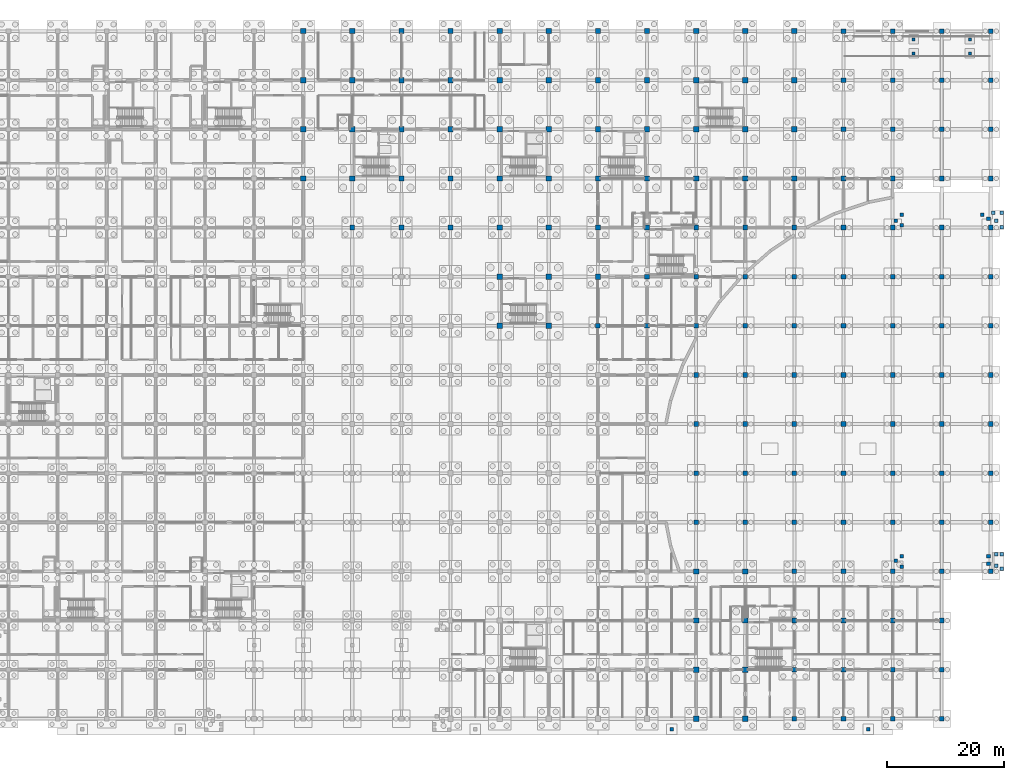
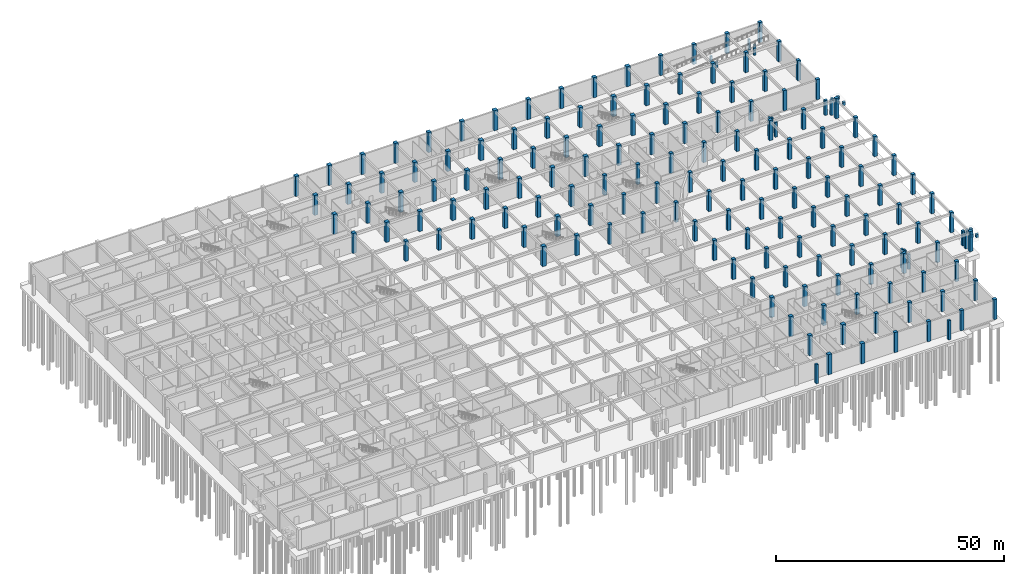
# One storey, part 19 of 65: 173 columns.
"""IFC4 building model written with IfcOpenShell, lengths in metres."""

from ifc_helpers import new_model, si_unit, direction, frame, origin, origin_2d, place, context, subcontext, project, spatial, rectangle, extrude, material, material_profile, profile_set, type_object, element, save


model = new_model("IFC4")

# Units and contexts
model_context = context("Model", 3, precision=1e-05, world=origin(), true_north=direction((0.0, 1.0)))
body_context = subcontext(model_context, "Body", "Model", "MODEL_VIEW")
ifc_project = project(units=[si_unit("LENGTHUNIT", "METRE"), si_unit("AREAUNIT", "SQUARE_METRE"), si_unit("VOLUMEUNIT", "CUBIC_METRE"), si_unit("PLANEANGLEUNIT", "RADIAN"), si_unit("MASSUNIT", "GRAM", prefix="KILO")], contexts=[model_context])

# Site, building, storey
site_placement = place(None, origin())
site = spatial("IfcSite", under=ifc_project, at=site_placement, CompositionType="ELEMENT")
building_placement = place(site_placement, origin())
building = spatial("IfcBuilding", under=site, at=building_placement, Name="Bramfleet General Hospital", CompositionType="ELEMENT")
storey_placement = place(building_placement, frame((0.0, 0.0, -5.39990234375)))
storey = spatial("IfcBuildingStorey", under=building, at=storey_placement, Name="B1", CompositionType="ELEMENT", Elevation=-5.39990234375)

# Columns
ifc_material = material(Name="Concrete C40/50", Category="concrete")
ifc_material_profile_1 = material_profile(ifc_material, rectangle(XDim=0.5, YDim=0.5, at=origin_2d()), Name="RC COL 500x500")
ifc_profile_set_1 = profile_set([ifc_material_profile_1], Name="Concrete C40/50")
column_type_1 = type_object("IfcColumnType", Name="COL-RC500", PredefinedType="COLUMN", material=ifc_profile_set_1)
for number, where, z_axis, x_axis, name in (
    (1, (171.60009765625, 113.800048828125, 0.0), (0.0, 0.0, 1.0), (1.0, 0.0, 0.0), "B1 Vehicle Ramp Support Column 1.1"),
    (2, (171.60009765625, 116.199951171875, 0.0), (0.0, 0.0, 1.0), (1.0, 0.0, 0.0), "B1 Vehicle Ramp Support Column 1.2"),
):
    element("IfcColumn", number, at=place(storey_placement, frame(where, z_axis=z_axis, x_axis=x_axis)), inside=storey, type_object=column_type_1, Name=name, PredefinedType="COLUMN", context=body_context, shape_type="SweptSolid", body=[
        extrude(rectangle(XDim=0.5, YDim=0.5, at=origin_2d()), origin(), (0.0, 0.0, 1.0), 1.679931640625),
    ])
for number, where, z_axis, x_axis, name in (
    (3, (181.199951171875, 113.800048828125, 0.0), (0.0, 0.0, 1.0), (1.0, 0.0, 0.0), "B1 Vehicle Ramp Support Column 2.1"),
    (4, (181.199951171875, 116.199951171875, 0.0), (0.0, 0.0, 1.0), (1.0, 0.0, 0.0), "B1 Vehicle Ramp Support Column 2.2"),
):
    element("IfcColumn", number, at=place(storey_placement, frame(where, z_axis=z_axis, x_axis=x_axis)), inside=storey, type_object=column_type_1, Name=name, PredefinedType="COLUMN", context=body_context, shape_type="SweptSolid", body=[
        extrude(rectangle(XDim=0.5, YDim=0.5, at=origin_2d()), origin(), (0.0, 0.0, 1.0), 2.83984375),
    ])
ifc_material_profile_2 = material_profile(ifc_material, rectangle(XDim=0.60009765625, YDim=0.60009765625, at=origin_2d()), Name="RC COL 600x600")
ifc_profile_set_2 = profile_set([ifc_material_profile_2], Name="Concrete C40/50")
column_type_2 = type_object("IfcColumnType", Name="COL-RC600", PredefinedType="COLUMN", material=ifc_profile_set_2)
for number, where, z_axis, x_axis, name in (
    (5, (130.199951171875, -1.800048828125, 0.0), (0.0, 0.0, 1.0), (1.0, 0.0, 0.0), "South Plinth Support Column 4"),
    (6, (163.800048828125, -1.800048828125, 0.0), (0.0, 0.0, 1.0), (1.0, 0.0, 0.0), "South Plinth Support Column 5"),
):
    element("IfcColumn", number, at=place(storey_placement, frame(where, z_axis=z_axis, x_axis=x_axis)), inside=storey, type_object=column_type_2, Name=name, PredefinedType="COLUMN", context=body_context, shape_type="SweptSolid", body=[
        extrude(rectangle(XDim=0.60009765625, YDim=0.60009765625, at=origin_2d()), origin(), (0.0, 0.0, 1.0), 5.14990234375),
    ])
for number, where, z_axis, x_axis, name in (
    (7, (169.60009765625, 26.0, 0.0), (0.0, 0.0, 1.0), (1.0, 0.0, 0.0), "Ramp Bearing Support Column 5.1"),
    (8, (184.39990234375, 26.550048828125, 0.0), (0.0, 0.0, 1.0), (1.0, 0.0, 0.0), "Ramp Bearing Support Column 5.2"),
    (9, (184.39990234375, 27.800048828125, 0.0), (0.0, 0.0, 1.0), (1.0, 0.0, 0.0), "Ramp Bearing Support Column 5.3"),
    (10, (169.60009765625, 27.800048828125, 0.0), (0.0, 0.0, 1.0), (1.0, 0.0, 0.0), "Ramp Bearing Support Column 5.4"),
):
    element("IfcColumn", number, at=place(storey_placement, frame(where, z_axis=z_axis, x_axis=x_axis)), inside=storey, type_object=column_type_2, Name=name, PredefinedType="COLUMN", context=body_context, shape_type="SweptSolid", body=[
        extrude(rectangle(XDim=0.60009765625, YDim=0.60009765625, at=origin_2d()), origin(), (0.0, 0.0, 1.0), 4.0),
    ])
column_1_placement = place(storey_placement, frame((168.5, 27.0, 0.0), z_axis=(0.0, 0.0, 1.0), x_axis=(1.0, 0.0, 0.0)))
element("IfcColumn", 11, at=column_1_placement, inside=storey, type_object=column_type_2, Name="Ramp Bearing Support Column 5.5", PredefinedType="COLUMN", context=body_context, shape_type="SweptSolid", body=[
    extrude(rectangle(XDim=0.60009765625, YDim=0.60009765625, at=origin_2d()), origin(), (0.0, 0.0, 1.0), 5.08984375),
])
for number, where, z_axis, x_axis, name in (
    (12, (185.719970703125, 26.199951171875, 2.75), (0.0, 0.0, 1.0), (1.0, 0.0, 0.0), "Threshold Support Column 5.1"),
    (13, (186.64990234375, 25.64990234375, 2.75), (0.0, 0.0, 1.0), (1.0, 0.0, 0.0), "Threshold Support Column 5.2"),
    (14, (186.64990234375, 28.14990234375, 2.75), (0.0, 0.0, 1.0), (1.0, 0.0, 0.0), "Threshold Support Column 5.3"),
    (15, (185.719970703125, 28.14990234375, 2.75), (0.0, 0.0, 1.0), (1.0, 0.0, 0.0), "Threshold Support Column 5.4"),
):
    element("IfcColumn", number, at=place(storey_placement, frame(where, z_axis=z_axis, x_axis=x_axis)), inside=storey, type_object=column_type_2, Name=name, PredefinedType="COLUMN", context=body_context, shape_type="SweptSolid", body=[
        extrude(rectangle(XDim=0.60009765625, YDim=0.60009765625, at=origin_2d()), origin(), (0.0, 0.0, 1.0), 0.849853515625),
    ])
for number, where, z_axis, x_axis, name in (
    (16, (169.60009765625, 84.39990234375, 0.0), (0.0, 0.0, 1.0), (1.0, 0.0, 0.0), "Ramp Bearing Support Column 6.1"),
    (17, (184.39990234375, 85.5, 0.0), (0.0, 0.0, 1.0), (1.0, 0.0, 0.0), "Ramp Bearing Support Column 6.2"),
    (18, (183.300048828125, 86.199951171875, 0.0), (0.0, 0.0, 1.0), (1.0, 0.0, 0.0), "Ramp Bearing Support Column 6.3"),
    (19, (169.60009765625, 86.199951171875, 0.0), (0.0, 0.0, 1.0), (1.0, 0.0, 0.0), "Ramp Bearing Support Column 6.4"),
):
    element("IfcColumn", number, at=place(storey_placement, frame(where, z_axis=z_axis, x_axis=x_axis)), inside=storey, type_object=column_type_2, Name=name, PredefinedType="COLUMN", context=body_context, shape_type="SweptSolid", body=[
        extrude(rectangle(XDim=0.60009765625, YDim=0.60009765625, at=origin_2d()), origin(), (0.0, 0.0, 1.0), 4.0),
    ])
column_2_placement = place(storey_placement, frame((168.5, 85.199951171875, 0.0), z_axis=(0.0, 0.0, 1.0), x_axis=(1.0, 0.0, 0.0)))
element("IfcColumn", 20, at=column_2_placement, inside=storey, type_object=column_type_2, Name="Ramp Bearing Support Column 6.5", PredefinedType="COLUMN", context=body_context, shape_type="SweptSolid", body=[
    extrude(rectangle(XDim=0.60009765625, YDim=0.60009765625, at=origin_2d()), origin(), (0.0, 0.0, 1.0), 5.08984375),
])
for number, where, z_axis, x_axis, name in (
    (21, (185.719970703125, 85.14990234375, 2.75), (0.0, 0.0, 1.0), (1.0, 0.0, 0.0), "Threshold Support Column 6.1"),
    (22, (186.64990234375, 84.050048828125, 2.75), (0.0, 0.0, 1.0), (1.0, 0.0, 0.0), "Threshold Support Column 6.2"),
    (23, (186.64990234375, 86.550048828125, 2.75), (0.0, 0.0, 1.0), (1.0, 0.0, 0.0), "Threshold Support Column 6.3"),
    (24, (185.169921875, 86.550048828125, 2.75), (0.0, 0.0, 1.0), (1.0, 0.0, 0.0), "Threshold Support Column 6.4"),
):
    element("IfcColumn", number, at=place(storey_placement, frame(where, z_axis=z_axis, x_axis=x_axis)), inside=storey, type_object=column_type_2, Name=name, PredefinedType="COLUMN", context=body_context, shape_type="SweptSolid", body=[
        extrude(rectangle(XDim=0.60009765625, YDim=0.60009765625, at=origin_2d()), origin(), (0.0, 0.0, 1.0), 0.849853515625),
    ])
ifc_material_profile_3 = material_profile(ifc_material, rectangle(XDim=0.800048828125, YDim=0.800048828125, at=origin_2d()), Name="RC COL 800x800")
ifc_profile_set_3 = profile_set([ifc_material_profile_3], Name="Concrete C40/50")
column_type_3 = type_object("IfcColumnType", Name="COL-RC800", PredefinedType="COLUMN", material=ifc_profile_set_3)
for number, where, z_axis, x_axis, name in (
    (25, (75.60009765625, 84.0, 0.0), (0.0, 0.0, 1.0), (1.0, 0.0, 0.0), "Column COL-B1-09-10"),
    (26, (84.0, 84.0, 0.0), (0.0, 0.0, 1.0), (1.0, 0.0, 0.0), "Column COL-B1-10-10"),
    (27, (117.60009765625, 67.199951171875, 0.0), (0.0, 0.0, 1.0), (1.0, 0.0, 0.0), "Column COL-B1-14-08"),
    (28, (126.0, 67.199951171875, 0.0), (0.0, 0.0, 1.0), (1.0, 0.0, 0.0), "Column COL-B1-15-08"),
    (29, (126.0, 75.60009765625, 0.0), (0.0, 0.0, 1.0), (1.0, 0.0, 0.0), "Column COL-B1-15-09"),
    (30, (126.0, 84.0, 0.0), (0.0, 0.0, 1.0), (1.0, 0.0, 0.0), "Column COL-B1-15-10"),
    (31, (134.39990234375, 33.60009765625, 0.0), (0.0, 0.0, 1.0), (1.0, 0.0, 0.0), "Column COL-B1-16-04"),
    (32, (134.39990234375, 42.0, 0.0), (0.0, 0.0, 1.0), (1.0, 0.0, 0.0), "Column COL-B1-16-05"),
    (33, (134.39990234375, 50.39990234375, 0.0), (0.0, 0.0, 1.0), (1.0, 0.0, 0.0), "Column COL-B1-16-06"),
    (34, (134.39990234375, 58.800048828125, 0.0), (0.0, 0.0, 1.0), (1.0, 0.0, 0.0), "Column COL-B1-16-07"),
    (35, (134.39990234375, 67.199951171875, 0.0), (0.0, 0.0, 1.0), (1.0, 0.0, 0.0), "Column COL-B1-16-08"),
    (36, (134.39990234375, 75.60009765625, 0.0), (0.0, 0.0, 1.0), (1.0, 0.0, 0.0), "Column COL-B1-16-09"),
    (37, (134.39990234375, 84.0, 0.0), (0.0, 0.0, 1.0), (1.0, 0.0, 0.0), "Column COL-B1-16-10"),
    (38, (142.800048828125, 33.60009765625, 0.0), (0.0, 0.0, 1.0), (1.0, 0.0, 0.0), "Column COL-B1-17-04"),
    (39, (142.800048828125, 42.0, 0.0), (0.0, 0.0, 1.0), (1.0, 0.0, 0.0), "Column COL-B1-17-05"),
    (40, (142.800048828125, 50.39990234375, 0.0), (0.0, 0.0, 1.0), (1.0, 0.0, 0.0), "Column COL-B1-17-06"),
    (41, (142.800048828125, 58.800048828125, 0.0), (0.0, 0.0, 1.0), (1.0, 0.0, 0.0), "Column COL-B1-17-07"),
    (42, (142.800048828125, 67.199951171875, 0.0), (0.0, 0.0, 1.0), (1.0, 0.0, 0.0), "Column COL-B1-17-08"),
    (43, (142.800048828125, 75.60009765625, 0.0), (0.0, 0.0, 1.0), (1.0, 0.0, 0.0), "Column COL-B1-17-09"),
    (44, (142.800048828125, 84.0, 0.0), (0.0, 0.0, 1.0), (1.0, 0.0, 0.0), "Column COL-B1-17-10"),
    (45, (151.199951171875, 0.0, 0.0), (0.0, 0.0, 1.0), (1.0, 0.0, 0.0), "Column COL-B1-18-00"),
    (46, (151.199951171875, 8.39990234375, 0.0), (0.0, 0.0, 1.0), (1.0, 0.0, 0.0), "Column COL-B1-18-01"),
    (47, (151.199951171875, 16.800048828125, 0.0), (0.0, 0.0, 1.0), (1.0, 0.0, 0.0), "Column COL-B1-18-02"),
    (48, (151.199951171875, 25.199951171875, 0.0), (0.0, 0.0, 1.0), (1.0, 0.0, 0.0), "Column COL-B1-18-03"),
    (49, (151.199951171875, 33.60009765625, 0.0), (0.0, 0.0, 1.0), (1.0, 0.0, 0.0), "Column COL-B1-18-04"),
    (50, (151.199951171875, 42.0, 0.0), (0.0, 0.0, 1.0), (1.0, 0.0, 0.0), "Column COL-B1-18-05"),
    (51, (151.199951171875, 50.39990234375, 0.0), (0.0, 0.0, 1.0), (1.0, 0.0, 0.0), "Column COL-B1-18-06"),
    (52, (151.199951171875, 58.800048828125, 0.0), (0.0, 0.0, 1.0), (1.0, 0.0, 0.0), "Column COL-B1-18-07"),
    (53, (151.199951171875, 67.199951171875, 0.0), (0.0, 0.0, 1.0), (1.0, 0.0, 0.0), "Column COL-B1-18-08"),
    (54, (151.199951171875, 75.60009765625, 0.0), (0.0, 0.0, 1.0), (1.0, 0.0, 0.0), "Column COL-B1-18-09"),
    (55, (151.199951171875, 84.0, 0.0), (0.0, 0.0, 1.0), (1.0, 0.0, 0.0), "Column COL-B1-18-10"),
    (56, (159.60009765625, 0.0, 0.0), (0.0, 0.0, 1.0), (1.0, 0.0, 0.0), "Column COL-B1-19-00"),
    (57, (159.60009765625, 8.39990234375, 0.0), (0.0, 0.0, 1.0), (1.0, 0.0, 0.0), "Column COL-B1-19-01"),
    (58, (159.60009765625, 16.800048828125, 0.0), (0.0, 0.0, 1.0), (1.0, 0.0, 0.0), "Column COL-B1-19-02"),
    (59, (159.60009765625, 25.199951171875, 0.0), (0.0, 0.0, 1.0), (1.0, 0.0, 0.0), "Column COL-B1-19-03"),
    (60, (159.60009765625, 33.60009765625, 0.0), (0.0, 0.0, 1.0), (1.0, 0.0, 0.0), "Column COL-B1-19-04"),
    (61, (159.60009765625, 42.0, 0.0), (0.0, 0.0, 1.0), (1.0, 0.0, 0.0), "Column COL-B1-19-05"),
    (62, (159.60009765625, 50.39990234375, 0.0), (0.0, 0.0, 1.0), (1.0, 0.0, 0.0), "Column COL-B1-19-06"),
    (63, (159.60009765625, 58.800048828125, 0.0), (0.0, 0.0, 1.0), (1.0, 0.0, 0.0), "Column COL-B1-19-07"),
    (64, (159.60009765625, 67.199951171875, 0.0), (0.0, 0.0, 1.0), (1.0, 0.0, 0.0), "Column COL-B1-19-08"),
    (65, (159.60009765625, 75.60009765625, 0.0), (0.0, 0.0, 1.0), (1.0, 0.0, 0.0), "Column COL-B1-19-09"),
    (66, (159.60009765625, 84.0, 0.0), (0.0, 0.0, 1.0), (1.0, 0.0, 0.0), "Column COL-B1-19-10"),
    (67, (159.60009765625, 92.39990234375, 0.0), (0.0, 0.0, 1.0), (1.0, 0.0, 0.0), "Column COL-B1-19-11"),
    (68, (159.60009765625, 100.800048828125, 0.0), (0.0, 0.0, 1.0), (1.0, 0.0, 0.0), "Column COL-B1-19-12"),
    (69, (159.60009765625, 109.199951171875, 0.0), (0.0, 0.0, 1.0), (1.0, 0.0, 0.0), "Column COL-B1-19-13"),
    (70, (159.60009765625, 117.60009765625, 0.0), (0.0, 0.0, 1.0), (1.0, 0.0, 0.0), "Column COL-B1-19-14"),
    (71, (168.0, 0.0, 0.0), (0.0, 0.0, 1.0), (1.0, 0.0, 0.0), "Column COL-B1-20-00"),
    (72, (168.0, 8.39990234375, 0.0), (0.0, 0.0, 1.0), (1.0, 0.0, 0.0), "Column COL-B1-20-01"),
    (73, (168.0, 16.800048828125, 0.0), (0.0, 0.0, 1.0), (1.0, 0.0, 0.0), "Column COL-B1-20-02"),
    (74, (168.0, 25.199951171875, 0.0), (0.0, 0.0, 1.0), (1.0, 0.0, 0.0), "Column COL-B1-20-03"),
    (75, (168.0, 33.60009765625, 0.0), (0.0, 0.0, 1.0), (1.0, 0.0, 0.0), "Column COL-B1-20-04"),
    (76, (168.0, 42.0, 0.0), (0.0, 0.0, 1.0), (1.0, 0.0, 0.0), "Column COL-B1-20-05"),
    (77, (168.0, 50.39990234375, 0.0), (0.0, 0.0, 1.0), (1.0, 0.0, 0.0), "Column COL-B1-20-06"),
    (78, (168.0, 58.800048828125, 0.0), (0.0, 0.0, 1.0), (1.0, 0.0, 0.0), "Column COL-B1-20-07"),
    (79, (168.0, 67.199951171875, 0.0), (0.0, 0.0, 1.0), (1.0, 0.0, 0.0), "Column COL-B1-20-08"),
    (80, (168.0, 75.60009765625, 0.0), (0.0, 0.0, 1.0), (1.0, 0.0, 0.0), "Column COL-B1-20-09"),
    (81, (168.0, 84.0, 0.0), (0.0, 0.0, 1.0), (1.0, 0.0, 0.0), "Column COL-B1-20-10"),
    (82, (168.0, 92.39990234375, 0.0), (0.0, 0.0, 1.0), (1.0, 0.0, 0.0), "Column COL-B1-20-11"),
    (83, (168.0, 100.800048828125, 0.0), (0.0, 0.0, 1.0), (1.0, 0.0, 0.0), "Column COL-B1-20-12"),
    (84, (168.0, 109.199951171875, 0.0), (0.0, 0.0, 1.0), (1.0, 0.0, 0.0), "Column COL-B1-20-13"),
    (85, (168.0, 117.60009765625, 0.0), (0.0, 0.0, 1.0), (1.0, 0.0, 0.0), "Column COL-B1-20-14"),
    (86, (176.39990234375, 0.0, 0.0), (0.0, 0.0, 1.0), (1.0, 0.0, 0.0), "Column COL-B1-21-00"),
    (87, (176.39990234375, 8.39990234375, 0.0), (0.0, 0.0, 1.0), (1.0, 0.0, 0.0), "Column COL-B1-21-01"),
    (88, (176.39990234375, 16.800048828125, 0.0), (0.0, 0.0, 1.0), (1.0, 0.0, 0.0), "Column COL-B1-21-02"),
    (89, (176.39990234375, 25.199951171875, 0.0), (0.0, 0.0, 1.0), (1.0, 0.0, 0.0), "Column COL-B1-21-03"),
    (90, (176.39990234375, 33.60009765625, 0.0), (0.0, 0.0, 1.0), (1.0, 0.0, 0.0), "Column COL-B1-21-04"),
    (91, (176.39990234375, 42.0, 0.0), (0.0, 0.0, 1.0), (1.0, 0.0, 0.0), "Column COL-B1-21-05"),
    (92, (176.39990234375, 50.39990234375, 0.0), (0.0, 0.0, 1.0), (1.0, 0.0, 0.0), "Column COL-B1-21-06"),
    (93, (176.39990234375, 58.800048828125, 0.0), (0.0, 0.0, 1.0), (1.0, 0.0, 0.0), "Column COL-B1-21-07"),
    (94, (176.39990234375, 67.199951171875, 0.0), (0.0, 0.0, 1.0), (1.0, 0.0, 0.0), "Column COL-B1-21-08"),
    (95, (176.39990234375, 75.60009765625, 0.0), (0.0, 0.0, 1.0), (1.0, 0.0, 0.0), "Column COL-B1-21-09"),
    (96, (176.39990234375, 84.0, 0.0), (0.0, 0.0, 1.0), (1.0, 0.0, 0.0), "Column COL-B1-21-10"),
    (97, (176.39990234375, 92.39990234375, 0.0), (0.0, 0.0, 1.0), (1.0, 0.0, 0.0), "Column COL-B1-21-11"),
    (98, (176.39990234375, 100.800048828125, 0.0), (0.0, 0.0, 1.0), (1.0, 0.0, 0.0), "Column COL-B1-21-12"),
    (99, (176.39990234375, 109.199951171875, 0.0), (0.0, 0.0, 1.0), (1.0, 0.0, 0.0), "Column COL-B1-21-13"),
    (100, (176.39990234375, 117.60009765625, 0.0), (0.0, 0.0, 1.0), (1.0, 0.0, 0.0), "Column COL-B1-21-14"),
    (101, (184.800048828125, 25.199951171875, 0.0), (0.0, 0.0, 1.0), (1.0, 0.0, 0.0), "Column COL-B1-22-03"),
    (102, (184.800048828125, 33.60009765625, 0.0), (0.0, 0.0, 1.0), (1.0, 0.0, 0.0), "Column COL-B1-22-04"),
    (103, (184.800048828125, 42.0, 0.0), (0.0, 0.0, 1.0), (1.0, 0.0, 0.0), "Column COL-B1-22-05"),
    (104, (184.800048828125, 50.39990234375, 0.0), (0.0, 0.0, 1.0), (1.0, 0.0, 0.0), "Column COL-B1-22-06"),
    (105, (184.800048828125, 58.800048828125, 0.0), (0.0, 0.0, 1.0), (1.0, 0.0, 0.0), "Column COL-B1-22-07"),
    (106, (184.800048828125, 67.199951171875, 0.0), (0.0, 0.0, 1.0), (1.0, 0.0, 0.0), "Column COL-B1-22-08"),
    (107, (184.800048828125, 75.60009765625, 0.0), (0.0, 0.0, 1.0), (1.0, 0.0, 0.0), "Column COL-B1-22-09"),
    (108, (184.800048828125, 84.0, 0.0), (0.0, 0.0, 1.0), (1.0, 0.0, 0.0), "Column COL-B1-22-10"),
    (109, (184.800048828125, 92.39990234375, 0.0), (0.0, 0.0, 1.0), (1.0, 0.0, 0.0), "Column COL-B1-22-11"),
    (110, (184.800048828125, 100.800048828125, 0.0), (0.0, 0.0, 1.0), (1.0, 0.0, 0.0), "Column COL-B1-22-12"),
    (111, (184.800048828125, 109.199951171875, 0.0), (0.0, 0.0, 1.0), (1.0, 0.0, 0.0), "Column COL-B1-22-13"),
    (112, (184.800048828125, 117.60009765625, 0.0), (0.0, 0.0, 1.0), (1.0, 0.0, 0.0), "Column COL-B1-22-14"),
):
    element("IfcColumn", number, at=place(storey_placement, frame(where, z_axis=z_axis, x_axis=x_axis)), inside=storey, type_object=column_type_3, Name=name, PredefinedType="COLUMN", context=body_context, shape_type="SweptSolid", body=[
        extrude(rectangle(XDim=0.800048828125, YDim=0.800048828125, at=origin_2d()), origin(), (0.0, 0.0, 1.0), 5.39990234375),
    ])
ifc_material_profile_4 = material_profile(ifc_material, rectangle(XDim=0.89990234375, YDim=0.89990234375, at=origin_2d()), Name="RC COL 900x900")
ifc_profile_set_4 = profile_set([ifc_material_profile_4], Name="Concrete C40/50")
column_type_4 = type_object("IfcColumnType", Name="COL-RC900", PredefinedType="COLUMN", material=ifc_profile_set_4)
for number, where, z_axis, x_axis, name in (
    (113, (67.199951171875, 92.39990234375, 0.0), (0.0, 0.0, 1.0), (1.0, 0.0, 0.0), "Column COL-B1-08-11"),
    (114, (67.199951171875, 100.800048828125, 0.0), (0.0, 0.0, 1.0), (1.0, 0.0, 0.0), "Column COL-B1-08-12"),
    (115, (67.199951171875, 109.199951171875, 0.0), (0.0, 0.0, 1.0), (1.0, 0.0, 0.0), "Column COL-B1-08-13"),
    (116, (67.199951171875, 117.60009765625, 0.0), (0.0, 0.0, 1.0), (1.0, 0.0, 0.0), "Column COL-B1-08-14"),
    (117, (75.60009765625, 92.39990234375, 0.0), (0.0, 0.0, 1.0), (1.0, 0.0, 0.0), "Column COL-B1-09-11"),
    (118, (75.60009765625, 100.800048828125, 0.0), (0.0, 0.0, 1.0), (1.0, 0.0, 0.0), "Column COL-B1-09-12"),
    (119, (75.60009765625, 109.199951171875, 0.0), (0.0, 0.0, 1.0), (1.0, 0.0, 0.0), "Column COL-B1-09-13"),
    (120, (75.60009765625, 117.60009765625, 0.0), (0.0, 0.0, 1.0), (1.0, 0.0, 0.0), "Column COL-B1-09-14"),
    (121, (84.0, 92.39990234375, 0.0), (0.0, 0.0, 1.0), (1.0, 0.0, 0.0), "Column COL-B1-10-11"),
    (122, (84.0, 100.800048828125, 0.0), (0.0, 0.0, 1.0), (1.0, 0.0, 0.0), "Column COL-B1-10-12"),
    (123, (84.0, 109.199951171875, 0.0), (0.0, 0.0, 1.0), (1.0, 0.0, 0.0), "Column COL-B1-10-13"),
    (124, (84.0, 117.60009765625, 0.0), (0.0, 0.0, 1.0), (1.0, 0.0, 0.0), "Column COL-B1-10-14"),
    (125, (92.39990234375, 84.0, 0.0), (0.0, 0.0, 1.0), (1.0, 0.0, 0.0), "Column COL-B1-11-10"),
    (126, (92.39990234375, 92.39990234375, 0.0), (0.0, 0.0, 1.0), (1.0, 0.0, 0.0), "Column COL-B1-11-11"),
    (127, (92.39990234375, 100.800048828125, 0.0), (0.0, 0.0, 1.0), (1.0, 0.0, 0.0), "Column COL-B1-11-12"),
    (128, (92.39990234375, 109.199951171875, 0.0), (0.0, 0.0, 1.0), (1.0, 0.0, 0.0), "Column COL-B1-11-13"),
    (129, (92.39990234375, 117.60009765625, 0.0), (0.0, 0.0, 1.0), (1.0, 0.0, 0.0), "Column COL-B1-11-14"),
    (130, (100.800048828125, 67.199951171875, 0.0), (0.0, 0.0, 1.0), (1.0, 0.0, 0.0), "Column COL-B1-12-08"),
    (131, (100.800048828125, 75.60009765625, 0.0), (0.0, 0.0, 1.0), (1.0, 0.0, 0.0), "Column COL-B1-12-09"),
    (132, (100.800048828125, 84.0, 0.0), (0.0, 0.0, 1.0), (1.0, 0.0, 0.0), "Column COL-B1-12-10"),
    (133, (100.800048828125, 92.39990234375, 0.0), (0.0, 0.0, 1.0), (1.0, 0.0, 0.0), "Column COL-B1-12-11"),
    (134, (100.800048828125, 100.800048828125, 0.0), (0.0, 0.0, 1.0), (1.0, 0.0, 0.0), "Column COL-B1-12-12"),
    (135, (100.800048828125, 109.199951171875, 0.0), (0.0, 0.0, 1.0), (1.0, 0.0, 0.0), "Column COL-B1-12-13"),
    (136, (100.800048828125, 117.60009765625, 0.0), (0.0, 0.0, 1.0), (1.0, 0.0, 0.0), "Column COL-B1-12-14"),
    (137, (109.199951171875, 67.199951171875, 0.0), (0.0, 0.0, 1.0), (1.0, 0.0, 0.0), "Column COL-B1-13-08"),
    (138, (109.199951171875, 75.60009765625, 0.0), (0.0, 0.0, 1.0), (1.0, 0.0, 0.0), "Column COL-B1-13-09"),
    (139, (109.199951171875, 84.0, 0.0), (0.0, 0.0, 1.0), (1.0, 0.0, 0.0), "Column COL-B1-13-10"),
    (140, (109.199951171875, 92.39990234375, 0.0), (0.0, 0.0, 1.0), (1.0, 0.0, 0.0), "Column COL-B1-13-11"),
    (141, (109.199951171875, 100.800048828125, 0.0), (0.0, 0.0, 1.0), (1.0, 0.0, 0.0), "Column COL-B1-13-12"),
    (142, (109.199951171875, 109.199951171875, 0.0), (0.0, 0.0, 1.0), (1.0, 0.0, 0.0), "Column COL-B1-13-13"),
    (143, (109.199951171875, 117.60009765625, 0.0), (0.0, 0.0, 1.0), (1.0, 0.0, 0.0), "Column COL-B1-13-14"),
    (144, (117.60009765625, 75.60009765625, 0.0), (0.0, 0.0, 1.0), (1.0, 0.0, 0.0), "Column COL-B1-14-09"),
    (145, (117.60009765625, 84.0, 0.0), (0.0, 0.0, 1.0), (1.0, 0.0, 0.0), "Column COL-B1-14-10"),
    (146, (117.60009765625, 92.39990234375, 0.0), (0.0, 0.0, 1.0), (1.0, 0.0, 0.0), "Column COL-B1-14-11"),
    (147, (117.60009765625, 100.800048828125, 0.0), (0.0, 0.0, 1.0), (1.0, 0.0, 0.0), "Column COL-B1-14-12"),
    (148, (117.60009765625, 109.199951171875, 0.0), (0.0, 0.0, 1.0), (1.0, 0.0, 0.0), "Column COL-B1-14-13"),
    (149, (117.60009765625, 117.60009765625, 0.0), (0.0, 0.0, 1.0), (1.0, 0.0, 0.0), "Column COL-B1-14-14"),
    (150, (126.0, 92.39990234375, 0.0), (0.0, 0.0, 1.0), (1.0, 0.0, 0.0), "Column COL-B1-15-11"),
    (151, (126.0, 100.800048828125, 0.0), (0.0, 0.0, 1.0), (1.0, 0.0, 0.0), "Column COL-B1-15-12"),
    (152, (126.0, 109.199951171875, 0.0), (0.0, 0.0, 1.0), (1.0, 0.0, 0.0), "Column COL-B1-15-13"),
    (153, (126.0, 117.60009765625, 0.0), (0.0, 0.0, 1.0), (1.0, 0.0, 0.0), "Column COL-B1-15-14"),
    (154, (134.39990234375, 0.0, 0.0), (0.0, 0.0, 1.0), (1.0, 0.0, 0.0), "Column COL-B1-16-00"),
    (155, (134.39990234375, 8.39990234375, 0.0), (0.0, 0.0, 1.0), (1.0, 0.0, 0.0), "Column COL-B1-16-01"),
    (156, (134.39990234375, 16.800048828125, 0.0), (0.0, 0.0, 1.0), (1.0, 0.0, 0.0), "Column COL-B1-16-02"),
    (157, (134.39990234375, 25.199951171875, 0.0), (0.0, 0.0, 1.0), (1.0, 0.0, 0.0), "Column COL-B1-16-03"),
    (158, (134.39990234375, 92.39990234375, 0.0), (0.0, 0.0, 1.0), (1.0, 0.0, 0.0), "Column COL-B1-16-11"),
    (159, (134.39990234375, 100.800048828125, 0.0), (0.0, 0.0, 1.0), (1.0, 0.0, 0.0), "Column COL-B1-16-12"),
    (160, (134.39990234375, 109.199951171875, 0.0), (0.0, 0.0, 1.0), (1.0, 0.0, 0.0), "Column COL-B1-16-13"),
    (161, (134.39990234375, 117.60009765625, 0.0), (0.0, 0.0, 1.0), (1.0, 0.0, 0.0), "Column COL-B1-16-14"),
    (162, (142.800048828125, 0.0, 0.0), (0.0, 0.0, 1.0), (1.0, 0.0, 0.0), "Column COL-B1-17-00"),
    (163, (142.800048828125, 8.39990234375, 0.0), (0.0, 0.0, 1.0), (1.0, 0.0, 0.0), "Column COL-B1-17-01"),
    (164, (142.800048828125, 16.800048828125, 0.0), (0.0, 0.0, 1.0), (1.0, 0.0, 0.0), "Column COL-B1-17-02"),
    (165, (142.800048828125, 25.199951171875, 0.0), (0.0, 0.0, 1.0), (1.0, 0.0, 0.0), "Column COL-B1-17-03"),
    (166, (142.800048828125, 92.39990234375, 0.0), (0.0, 0.0, 1.0), (1.0, 0.0, 0.0), "Column COL-B1-17-11"),
    (167, (142.800048828125, 100.800048828125, 0.0), (0.0, 0.0, 1.0), (1.0, 0.0, 0.0), "Column COL-B1-17-12"),
    (168, (142.800048828125, 109.199951171875, 0.0), (0.0, 0.0, 1.0), (1.0, 0.0, 0.0), "Column COL-B1-17-13"),
    (169, (142.800048828125, 117.60009765625, 0.0), (0.0, 0.0, 1.0), (1.0, 0.0, 0.0), "Column COL-B1-17-14"),
    (170, (151.199951171875, 92.39990234375, 0.0), (0.0, 0.0, 1.0), (1.0, 0.0, 0.0), "Column COL-B1-18-11"),
    (171, (151.199951171875, 100.800048828125, 0.0), (0.0, 0.0, 1.0), (1.0, 0.0, 0.0), "Column COL-B1-18-12"),
    (172, (151.199951171875, 109.199951171875, 0.0), (0.0, 0.0, 1.0), (1.0, 0.0, 0.0), "Column COL-B1-18-13"),
    (173, (151.199951171875, 117.60009765625, 0.0), (0.0, 0.0, 1.0), (1.0, 0.0, 0.0), "Column COL-B1-18-14"),
):
    element("IfcColumn", number, at=place(storey_placement, frame(where, z_axis=z_axis, x_axis=x_axis)), inside=storey, type_object=column_type_4, Name=name, PredefinedType="COLUMN", context=body_context, shape_type="SweptSolid", body=[
        extrude(rectangle(XDim=0.89990234375, YDim=0.89990234375, at=origin_2d()), origin(), (0.0, 0.0, 1.0), 5.39990234375),
    ])

save(model, "model.ifc")
